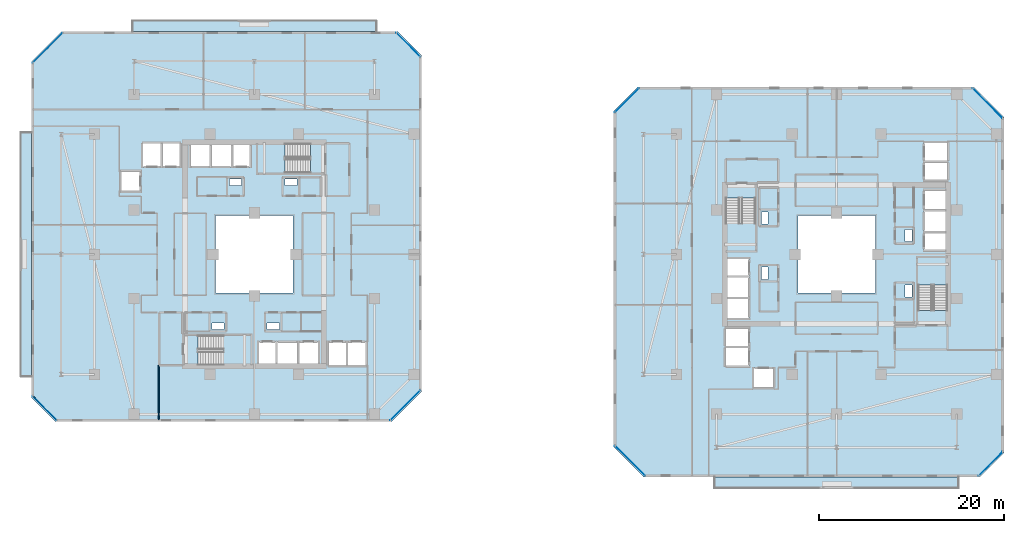
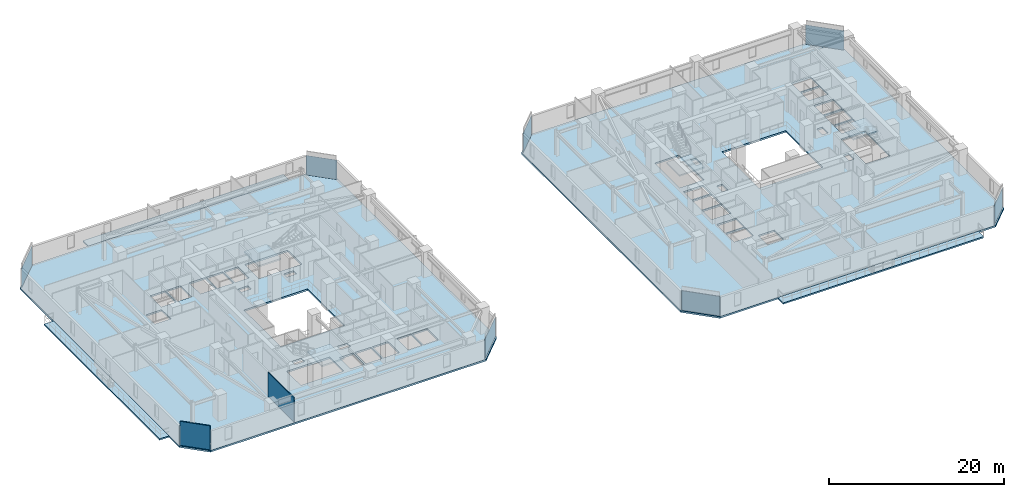
# One storey, part 18 of 33: 9 slabs, 8 plates, 2 walls, 12 elements without a shape of their own.
"""IFC4 building model written with IfcOpenShell, lengths in metres."""

from ifc_helpers import new_model, si_unit, direction, frame, frame_2d, origin, origin_2d, place, context, subcontext, project, spatial, polyline, rectangle, outline, extrude, material, layer, layer_set, type_object, element, aggregate, save


model = new_model("IFC4")

# Units and contexts
model_context = context("Model", 3, precision=1e-05, world=origin(), true_north=direction((0.0, 1.0)))
body_context = subcontext(model_context, "Body", "Model", "MODEL_VIEW")
ifc_project = project(units=[si_unit("LENGTHUNIT", "METRE"), si_unit("AREAUNIT", "SQUARE_METRE"), si_unit("VOLUMEUNIT", "CUBIC_METRE"), si_unit("PLANEANGLEUNIT", "RADIAN"), si_unit("MASSUNIT", "GRAM", prefix="KILO")], contexts=[model_context])

# Site, building, storey
site_placement = place(None, origin())
site = spatial("IfcSite", under=ifc_project, at=site_placement, CompositionType="ELEMENT")
building_placement = place(site_placement, origin())
building = spatial("IfcBuilding", under=site, at=building_placement, Name="Thornwick Lancets Civic Towers", CompositionType="ELEMENT")
storey_placement = place(building_placement, frame((0.0, 0.0, 108.89990234375)))
storey = spatial("IfcBuildingStorey", under=building, at=storey_placement, Name="L28", CompositionType="ELEMENT", Elevation=108.89990234375)

# Curtain wall, plate
ifc_material_1 = material(Name="Low-zone chamfered-corner unitised glass curtain wall", Category="glass")
curtain_wall_type = type_object("IfcCurtainWallType", Name="CW_SYS_03", PredefinedType="NOTDEFINED", material=ifc_material_1)
curtain_wall_1_placement = place(storey_placement, origin())
curtain_wall_1 = element("IfcCurtainWall", 1, at=curtain_wall_1_placement, inside=storey, type_object=curtain_wall_type, Name="L28 Curtain Wall CW-L28-A-E1", PredefinedType="NOTDEFINED")
ifc_material_2 = material(Name="Low-e double glazing clear glass", Category="glass")
ifc_layer_1 = layer(ifc_material_2, 0.035888671875, Name="Low-e double glazing clear glass")
ifc_layer_set_1 = layer_set([ifc_layer_1], Name="Low-e double glazing clear glass")
plate_type = type_object("IfcPlateType", Name="CW_PNL_GLASS", PredefinedType="CURTAIN_PANEL", material=ifc_layer_set_1)
plate_1_placement = place(storey_placement, frame((41.845703125, 10.654296875, 0.0), z_axis=(0.0, 0.0, 1.0), x_axis=(0.707106781187, 0.707106781187, 0.0)))
plate_1 = element("IfcPlate", 2, at=plate_1_placement, type_object=plate_type, Name="CW-L28-A-E1 Panel 0", PredefinedType="CURTAIN_PANEL", context=body_context, shape_type="SweptSolid", body=[
    extrude(rectangle(XDim=4.5693359375, YDim=0.035888671875, at=origin_2d()), origin(), (0.0, 0.0, 1.0), 2.699951171875),
])
aggregate(curtain_wall_1, [plate_1])

curtain_wall_2_placement = place(storey_placement, origin())
curtain_wall_2 = element("IfcCurtainWall", 3, at=curtain_wall_2_placement, inside=storey, type_object=curtain_wall_type, Name="L28 Curtain Wall CW-L28-A-E3", PredefinedType="NOTDEFINED")
plate_2_placement = place(storey_placement, frame((42.173095703125, 49.673095703125, 0.0), z_axis=(0.0, 0.0, 1.0), x_axis=(-0.707106781187, 0.707106781187, 0.0)))
plate_2 = element("IfcPlate", 4, at=plate_2_placement, type_object=plate_type, Name="CW-L28-A-E3 Panel 0", PredefinedType="CURTAIN_PANEL", context=body_context, shape_type="SweptSolid", body=[
    extrude(rectangle(XDim=3.6494140625, YDim=0.035888671875, at=origin_2d()), origin(), (0.0, 0.0, 1.0), 2.699951171875),
])
aggregate(curtain_wall_2, [plate_2])

curtain_wall_3_placement = place(storey_placement, origin())
curtain_wall_3 = element("IfcCurtainWall", 5, at=curtain_wall_3_placement, inside=storey, type_object=curtain_wall_type, Name="L28 Curtain Wall CW-L28-A-E5", PredefinedType="NOTDEFINED")
plate_3_placement = place(storey_placement, frame((3.154296875, 49.345703125, 0.0), z_axis=(0.0, 0.0, 1.0), x_axis=(-0.707106781187, -0.707106781187, 0.0)))
plate_3 = element("IfcPlate", 6, at=plate_3_placement, type_object=plate_type, Name="CW-L28-A-E5 Panel 0", PredefinedType="CURTAIN_PANEL", context=body_context, shape_type="SweptSolid", body=[
    extrude(rectangle(XDim=4.5693359375, YDim=0.035888671875, at=origin_2d()), origin(), (0.0, 0.0, 1.0), 2.699951171875),
])
aggregate(curtain_wall_3, [plate_3])

curtain_wall_4_placement = place(storey_placement, origin())
curtain_wall_4 = element("IfcCurtainWall", 7, at=curtain_wall_4_placement, inside=storey, type_object=curtain_wall_type, Name="L28 Curtain Wall CW-L28-A-E7", PredefinedType="NOTDEFINED")
plate_4_placement = place(storey_placement, frame((2.826904296875, 10.326904296875, 0.0), z_axis=(0.0, 0.0, 1.0), x_axis=(0.707106781187, -0.707106781187, 0.0)))
plate_4 = element("IfcPlate", 8, at=plate_4_placement, type_object=plate_type, Name="CW-L28-A-E7 Panel 0", PredefinedType="CURTAIN_PANEL", context=body_context, shape_type="SweptSolid", body=[
    extrude(rectangle(XDim=3.6494140625, YDim=0.035888671875, at=origin_2d()), origin(), (0.0, 0.0, 1.0), 2.699951171875),
])
aggregate(curtain_wall_4, [plate_4])

curtain_wall_5_placement = place(storey_placement, origin())
curtain_wall_5 = element("IfcCurtainWall", 9, at=curtain_wall_5_placement, inside=storey, type_object=curtain_wall_type, Name="L28 Curtain Wall CW-L28-B-E1", PredefinedType="NOTDEFINED")
plate_5_placement = place(storey_placement, frame((105.173095703125, 4.326904296875, 0.0), z_axis=(0.0, 0.0, 1.0), x_axis=(0.707106781187, 0.707106781187, 0.0)))
plate_5 = element("IfcPlate", 10, at=plate_5_placement, type_object=plate_type, Name="CW-L28-B-E1 Panel 0", PredefinedType="CURTAIN_PANEL", context=body_context, shape_type="SweptSolid", body=[
    extrude(rectangle(XDim=3.6494140625, YDim=0.035888671875, at=origin_2d()), origin(), (0.0, 0.0, 1.0), 2.699951171875),
])
aggregate(curtain_wall_5, [plate_5])

curtain_wall_6_placement = place(storey_placement, origin())
curtain_wall_6 = element("IfcCurtainWall", 11, at=curtain_wall_6_placement, inside=storey, type_object=curtain_wall_type, Name="L28 Curtain Wall CW-L28-B-E3", PredefinedType="NOTDEFINED")
plate_6_placement = place(storey_placement, frame((104.845703125, 43.345703125, 0.0), z_axis=(0.0, 0.0, 1.0), x_axis=(-0.707106781187, 0.707106781187, 0.0)))
plate_6 = element("IfcPlate", 12, at=plate_6_placement, type_object=plate_type, Name="CW-L28-B-E3 Panel 0", PredefinedType="CURTAIN_PANEL", context=body_context, shape_type="SweptSolid", body=[
    extrude(rectangle(XDim=4.5693359375, YDim=0.035888671875, at=origin_2d()), origin(), (0.0, 0.0, 1.0), 2.699951171875),
])
aggregate(curtain_wall_6, [plate_6])

curtain_wall_7_placement = place(storey_placement, origin())
curtain_wall_7 = element("IfcCurtainWall", 13, at=curtain_wall_7_placement, inside=storey, type_object=curtain_wall_type, Name="L28 Curtain Wall CW-L28-B-E5", PredefinedType="NOTDEFINED")
plate_7_placement = place(storey_placement, frame((65.826904296875, 43.673095703125, 0.0), z_axis=(0.0, 0.0, 1.0), x_axis=(-0.707106781187, -0.707106781187, 0.0)))
plate_7 = element("IfcPlate", 14, at=plate_7_placement, type_object=plate_type, Name="CW-L28-B-E5 Panel 0", PredefinedType="CURTAIN_PANEL", context=body_context, shape_type="SweptSolid", body=[
    extrude(rectangle(XDim=3.6494140625, YDim=0.035888671875, at=origin_2d()), origin(), (0.0, 0.0, 1.0), 2.699951171875),
])
aggregate(curtain_wall_7, [plate_7])

curtain_wall_8_placement = place(storey_placement, origin())
curtain_wall_8 = element("IfcCurtainWall", 15, at=curtain_wall_8_placement, inside=storey, type_object=curtain_wall_type, Name="L28 Curtain Wall CW-L28-B-E7", PredefinedType="NOTDEFINED")
plate_8_placement = place(storey_placement, frame((66.154296875, 4.654296875, 0.0), z_axis=(0.0, 0.0, 1.0), x_axis=(0.707106781187, -0.707106781187, 0.0)))
plate_8 = element("IfcPlate", 16, at=plate_8_placement, type_object=plate_type, Name="CW-L28-B-E7 Panel 0", PredefinedType="CURTAIN_PANEL", context=body_context, shape_type="SweptSolid", body=[
    extrude(rectangle(XDim=4.5693359375, YDim=0.035888671875, at=origin_2d()), origin(), (0.0, 0.0, 1.0), 2.699951171875),
])
aggregate(curtain_wall_8, [plate_8])

# Slabs
ifc_material_3 = material(Name="Post-tensioned concrete C40/50", Category="concrete")
ifc_layer_2 = layer(ifc_material_3, 0.199951171875, Name="Post-tensioned concrete C40/50")
ifc_layer_set_2 = layer_set([ifc_layer_2], Name="Post-tensioned concrete C40/50")
slab_type_1 = type_object("IfcSlabType", Name="SLAB_BALCONY_200", PredefinedType="FLOOR", material=ifc_layer_set_2)
slab_1_placement = place(storey_placement, frame((0.0, 0.0, -0.199951171875)))
element("IfcSlab", 17, at=slab_1_placement, inside=storey, type_object=slab_type_1, Name="L28 Tower A Planted Balcony Slab W", PredefinedType="FLOOR", context=body_context, shape_type="SweptSolid", body=[
    extrude(outline(polyline([(0.14990234375, 13.800048828125), (1.39990234375, 13.800048828125), (1.39990234375, 40.199951171875), (0.14990234375, 40.199951171875), (0.14990234375, 13.800048828125)])), origin(), (0.0, 0.0, 1.0), 0.199951171875),
])
slab_2_placement = place(storey_placement, frame((0.0, 0.0, -0.199951171875)))
element("IfcSlab", 18, at=slab_2_placement, inside=storey, type_object=slab_type_1, Name="L28 Tower A Planted Balcony Slab N", PredefinedType="FLOOR", context=body_context, shape_type="SweptSolid", body=[
    extrude(outline(polyline([(12.300048828125, 51.10009765625), (38.699951171875, 51.10009765625), (38.699951171875, 52.35009765625), (12.300048828125, 52.35009765625), (12.300048828125, 51.10009765625)])), origin(), (0.0, 0.0, 1.0), 0.199951171875),
])
slab_3_placement = place(storey_placement, frame((0.0, 0.0, -0.199951171875)))
element("IfcSlab", 19, at=slab_3_placement, inside=storey, type_object=slab_type_1, Name="L28 Tower B Planted Balcony Slab S", PredefinedType="FLOOR", context=body_context, shape_type="SweptSolid", body=[
    extrude(outline(polyline([(75.300048828125, 1.64990234375), (101.699951171875, 1.64990234375), (101.699951171875, 2.89990234375), (75.300048828125, 2.89990234375), (75.300048828125, 1.64990234375)])), origin(), (0.0, 0.0, 1.0), 0.199951171875),
])

# Stair, slab
ifc_material_4 = material(Name="Concrete C40/50", Category="concrete")
stair_type = type_object("IfcStairType", Name="STAIR_DL_3600", PredefinedType="HALF_TURN_STAIR", material=ifc_material_4)
stair_1_placement = place(storey_placement, origin())
stair_1 = element("IfcStair", 20, at=stair_1_placement, inside=storey, type_object=stair_type, Name="L28 Tower A South Exit Stair ST-A1", PredefinedType="HALF_TURN_STAIR")
ifc_layer_3 = layer(ifc_material_4, 0.25, Name="Concrete C40/50")
ifc_layer_set_3 = layer_set([ifc_layer_3], Name="Concrete C40/50")
slab_type_2 = type_object("IfcSlabType", Name="SLAB_LANDING_200", PredefinedType="LANDING", material=ifc_layer_set_3)
slab_4_placement = place(storey_placement, frame((0.0, 0.0, 1.60302734375)))
slab_4 = element("IfcSlab", 21, at=slab_4_placement, type_object=slab_type_2, Name="ST-A1 landing 1", PredefinedType="LANDING", context=body_context, shape_type="SweptSolid", body=[
    extrude(outline(polyline([(22.169921875, 14.93994140625), (25.14990234375, 14.93994140625), (25.14990234375, 18.260009765625), (22.169921875, 18.260009765625), (22.169921875, 14.93994140625)])), origin(), (0.0, 0.0, 1.0), 0.199951171875),
])
aggregate(stair_1, [slab_4])

stair_2_placement = place(storey_placement, origin())
stair_2 = element("IfcStair", 22, at=stair_2_placement, inside=storey, type_object=stair_type, Name="L28 Tower A North Exit Stair ST-A2", PredefinedType="HALF_TURN_STAIR")
slab_5_placement = place(storey_placement, frame((0.0, 0.0, 1.60302734375)))
slab_5 = element("IfcSlab", 23, at=slab_5_placement, type_object=slab_type_2, Name="ST-A2 landing 1", PredefinedType="LANDING", context=body_context, shape_type="SweptSolid", body=[
    extrude(outline(polyline([(28.830078125, 39.06005859375), (25.85009765625, 39.06005859375), (25.85009765625, 35.739990234375), (28.830078125, 35.739990234375), (28.830078125, 39.06005859375)])), origin(), (0.0, 0.0, 1.0), 0.199951171875),
])
aggregate(stair_2, [slab_5])

stair_3_placement = place(storey_placement, origin())
stair_3 = element("IfcStair", 24, at=stair_3_placement, inside=storey, type_object=stair_type, Name="L28 Tower B East Exit Stair ST-B1", PredefinedType="HALF_TURN_STAIR")
slab_6_placement = place(storey_placement, frame((0.0, 0.0, 1.60302734375)))
slab_6 = element("IfcSlab", 25, at=slab_6_placement, type_object=slab_type_2, Name="ST-B1 landing 1", PredefinedType="LANDING", context=body_context, shape_type="SweptSolid", body=[
    extrude(outline(polyline([(100.56005859375, 23.669921875), (100.56005859375, 26.64990234375), (97.239990234375, 26.64990234375), (97.239990234375, 23.669921875), (100.56005859375, 23.669921875)])), origin(), (0.0, 0.0, 1.0), 0.199951171875),
])
aggregate(stair_3, [slab_6])

stair_4_placement = place(storey_placement, origin())
stair_4 = element("IfcStair", 26, at=stair_4_placement, inside=storey, type_object=stair_type, Name="L28 Tower B West Exit Stair ST-B2", PredefinedType="HALF_TURN_STAIR")
slab_7_placement = place(storey_placement, frame((0.0, 0.0, 1.60302734375)))
slab_7 = element("IfcSlab", 27, at=slab_7_placement, type_object=slab_type_2, Name="ST-B2 landing 1", PredefinedType="LANDING", context=body_context, shape_type="SweptSolid", body=[
    extrude(outline(polyline([(76.43994140625, 30.330078125), (76.43994140625, 27.35009765625), (79.760009765625, 27.35009765625), (79.760009765625, 30.330078125), (76.43994140625, 30.330078125)])), origin(), (0.0, 0.0, 1.0), 0.199951171875),
])
aggregate(stair_4, [slab_7])

# Slabs
ifc_layer_4 = layer(ifc_material_3, 0.239990234375, Name="Post-tensioned concrete C40/50")
ifc_layer_set_4 = layer_set([ifc_layer_4], Name="Post-tensioned concrete C40/50")
slab_type_3 = type_object("IfcSlabType", Name="SLAB_PT_240", PredefinedType="FLOOR", material=ifc_layer_set_4)
slab_8_placement = place(storey_placement, frame((0.0, 0.0, -0.239990234375)))
element("IfcSlab", 28, at=slab_8_placement, inside=storey, type_object=slab_type_3, Name="L28 Tower A Floor Slab", PredefinedType="FLOOR", context=body_context, shape_type="SweptSolid", body=[
    extrude(outline(polyline([(4.0, 8.89990234375), (40.344970703125, 8.89990234375), (43.60009765625, 12.155029296875), (43.60009765625, 48.5), (41.0, 51.10009765625), (4.655029296875, 51.10009765625), (1.39990234375, 47.844970703125), (1.39990234375, 11.5), (4.0, 8.89990234375)]), holes=[polyline([(21.300048828125, 22.800048828125), (29.699951171875, 22.800048828125), (29.699951171875, 31.199951171875), (21.300048828125, 31.199951171875), (21.300048828125, 22.800048828125)]), polyline([(19.429931640625, 15.0), (25.10009765625, 15.0), (25.10009765625, 18.199951171875), (19.429931640625, 18.199951171875), (19.429931640625, 15.0)]), polyline([(31.570068359375, 39.0), (25.89990234375, 39.0), (25.89990234375, 35.800048828125), (31.570068359375, 35.800048828125), (31.570068359375, 39.0)]), polyline([(26.0, 15.0), (27.800048828125, 15.0), (27.800048828125, 17.550048828125), (26.0, 17.550048828125), (26.0, 15.0)]), polyline([(28.0, 15.0), (30.14990234375, 15.0), (30.14990234375, 17.550048828125), (28.0, 17.550048828125), (28.0, 15.0)]), polyline([(30.35009765625, 15.0), (32.39990234375, 15.0), (32.39990234375, 17.550048828125), (30.35009765625, 17.550048828125), (30.35009765625, 15.0)]), polyline([(33.550048828125, 15.0), (35.449951171875, 15.0), (35.449951171875, 17.550048828125), (33.550048828125, 17.550048828125), (33.550048828125, 15.0)]), polyline([(35.60009765625, 15.0), (37.550048828125, 15.0), (37.550048828125, 17.550048828125), (35.60009765625, 17.550048828125), (35.60009765625, 15.0)]), polyline([(23.199951171875, 36.449951171875), (25.0, 36.449951171875), (25.0, 39.0), (23.199951171875, 39.0), (23.199951171875, 36.449951171875)]), polyline([(20.85009765625, 36.449951171875), (23.0, 36.449951171875), (23.0, 39.0), (20.85009765625, 39.0), (20.85009765625, 36.449951171875)]), polyline([(18.60009765625, 36.449951171875), (20.699951171875, 36.449951171875), (20.699951171875, 39.0), (18.60009765625, 39.0), (18.60009765625, 36.449951171875)]), polyline([(15.550048828125, 36.449951171875), (17.449951171875, 36.449951171875), (17.449951171875, 39.0), (15.550048828125, 39.0), (15.550048828125, 36.449951171875)]), polyline([(13.449951171875, 36.449951171875), (15.39990234375, 36.449951171875), (15.39990234375, 39.0), (13.449951171875, 39.0), (13.449951171875, 36.449951171875)]), polyline([(11.10009765625, 33.85009765625), (13.199951171875, 33.85009765625), (13.199951171875, 35.949951171875), (11.10009765625, 35.949951171875), (11.10009765625, 33.85009765625)]), polyline([(26.89990234375, 18.85009765625), (28.199951171875, 18.85009765625), (28.199951171875, 19.580078125), (26.89990234375, 19.580078125), (26.89990234375, 18.85009765625)]), polyline([(20.89990234375, 18.85009765625), (22.199951171875, 18.85009765625), (22.199951171875, 19.580078125), (20.89990234375, 19.580078125), (20.89990234375, 18.85009765625)]), polyline([(22.800048828125, 34.419921875), (24.10009765625, 34.419921875), (24.10009765625, 35.14990234375), (22.800048828125, 35.14990234375), (22.800048828125, 34.419921875)]), polyline([(28.800048828125, 34.419921875), (30.10009765625, 34.419921875), (30.10009765625, 35.14990234375), (28.800048828125, 35.14990234375), (28.800048828125, 34.419921875)])]), origin(), (0.0, 0.0, 1.0), 0.239990234375),
])
slab_9_placement = place(storey_placement, frame((0.0, 0.0, -0.239990234375)))
element("IfcSlab", 29, at=slab_9_placement, inside=storey, type_object=slab_type_3, Name="L28 Tower B Floor Slab", PredefinedType="FLOOR", context=body_context, shape_type="SweptSolid", body=[
    extrude(outline(polyline([(67.655029296875, 2.89990234375), (104.0, 2.89990234375), (106.60009765625, 5.5), (106.60009765625, 41.844970703125), (103.344970703125, 45.10009765625), (67.0, 45.10009765625), (64.39990234375, 42.5), (64.39990234375, 6.155029296875), (67.655029296875, 2.89990234375)]), holes=[polyline([(84.300048828125, 22.800048828125), (92.699951171875, 22.800048828125), (92.699951171875, 31.199951171875), (84.300048828125, 31.199951171875), (84.300048828125, 22.800048828125)]), polyline([(100.5, 20.929931640625), (100.5, 26.60009765625), (97.300048828125, 26.60009765625), (97.300048828125, 20.929931640625), (100.5, 20.929931640625)]), polyline([(76.5, 33.070068359375), (76.5, 27.39990234375), (79.699951171875, 27.39990234375), (79.699951171875, 33.070068359375), (76.5, 33.070068359375)]), polyline([(97.949951171875, 27.5), (100.5, 27.5), (100.5, 29.300048828125), (97.949951171875, 29.300048828125), (97.949951171875, 27.5)]), polyline([(97.949951171875, 29.5), (100.5, 29.5), (100.5, 31.64990234375), (97.949951171875, 31.64990234375), (97.949951171875, 29.5)]), polyline([(97.949951171875, 31.85009765625), (100.5, 31.85009765625), (100.5, 33.89990234375), (97.949951171875, 33.89990234375), (97.949951171875, 31.85009765625)]), polyline([(97.949951171875, 35.050048828125), (100.5, 35.050048828125), (100.5, 36.949951171875), (97.949951171875, 36.949951171875), (97.949951171875, 35.050048828125)]), polyline([(97.949951171875, 37.10009765625), (100.5, 37.10009765625), (100.5, 39.050048828125), (97.949951171875, 39.050048828125), (97.949951171875, 37.10009765625)]), polyline([(76.5, 24.699951171875), (79.050048828125, 24.699951171875), (79.050048828125, 26.5), (76.5, 26.5), (76.5, 24.699951171875)]), polyline([(76.5, 22.35009765625), (79.050048828125, 22.35009765625), (79.050048828125, 24.5), (76.5, 24.5), (76.5, 22.35009765625)]), polyline([(76.5, 20.10009765625), (79.050048828125, 20.10009765625), (79.050048828125, 22.199951171875), (76.5, 22.199951171875), (76.5, 20.10009765625)]), polyline([(76.5, 17.050048828125), (79.050048828125, 17.050048828125), (79.050048828125, 18.949951171875), (76.5, 18.949951171875), (76.5, 17.050048828125)]), polyline([(76.5, 14.949951171875), (79.050048828125, 14.949951171875), (79.050048828125, 16.89990234375), (76.5, 16.89990234375), (76.5, 14.949951171875)]), polyline([(79.550048828125, 12.60009765625), (81.64990234375, 12.60009765625), (81.64990234375, 14.699951171875), (79.550048828125, 14.699951171875), (79.550048828125, 12.60009765625)]), polyline([(95.919921875, 28.39990234375), (96.64990234375, 28.39990234375), (96.64990234375, 29.699951171875), (95.919921875, 29.699951171875), (95.919921875, 28.39990234375)]), polyline([(95.919921875, 22.39990234375), (96.64990234375, 22.39990234375), (96.64990234375, 23.699951171875), (95.919921875, 23.699951171875), (95.919921875, 22.39990234375)]), polyline([(80.35009765625, 24.300048828125), (81.080078125, 24.300048828125), (81.080078125, 25.60009765625), (80.35009765625, 25.60009765625), (80.35009765625, 24.300048828125)]), polyline([(80.35009765625, 30.300048828125), (81.080078125, 30.300048828125), (81.080078125, 31.60009765625), (80.35009765625, 31.60009765625), (80.35009765625, 30.300048828125)])]), origin(), (0.0, 0.0, 1.0), 0.239990234375),
])

# Walls
ifc_material_5 = material(Name="Acoustic gypsum board partition")
ifc_layer_5 = layer(ifc_material_5, 0.1201171875, Name="Acoustic gypsum board partition")
ifc_layer_set_5 = layer_set([ifc_layer_5], Name="Acoustic gypsum board partition")
wall_type = type_object("IfcWallType", Name="WALL_PART_120", PredefinedType="PARTITIONING", material=ifc_layer_set_5)
wall_1_placement = place(storey_placement, frame((15.14990234375, 15.0, 0.0), z_axis=(0.0, 0.0, 1.0), x_axis=(0.0, -1.0, 0.0)))
element("IfcWall", 30, at=wall_1_placement, inside=storey, type_object=wall_type, Name="L28 Partition L28-A-W1 E8", PredefinedType="PARTITIONING", context=body_context, shape_type="SweptSolid", body=[
    extrude(rectangle(XDim=5.919921875, YDim=0.1201171875, at=frame_2d((2.9599609375, 0.0))), origin(), (0.0, 0.0, 1.0), 3.340087890625),
])
wall_2_placement = place(storey_placement, frame((4.07470703125, 9.080078125, 0.0), z_axis=(0.0, 0.0, 1.0), x_axis=(-0.707106781187, 0.707106781187, 0.0)))
element("IfcWall", 31, at=wall_2_placement, inside=storey, type_object=wall_type, Name="L28 Partition L28-A-W1 E10", PredefinedType="PARTITIONING", context=body_context, shape_type="SweptSolid", body=[
    extrude(rectangle(XDim=3.52783203125, YDim=0.1201171875, at=frame_2d((1.763916015625, 0.0))), origin(), (0.0, 0.0, 1.0), 3.340087890625),
])

save(model, "model.ifc")
